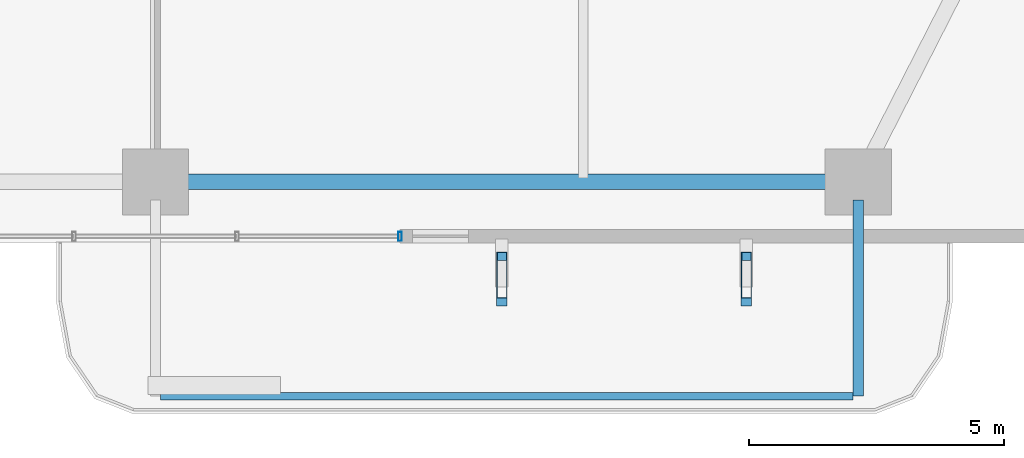
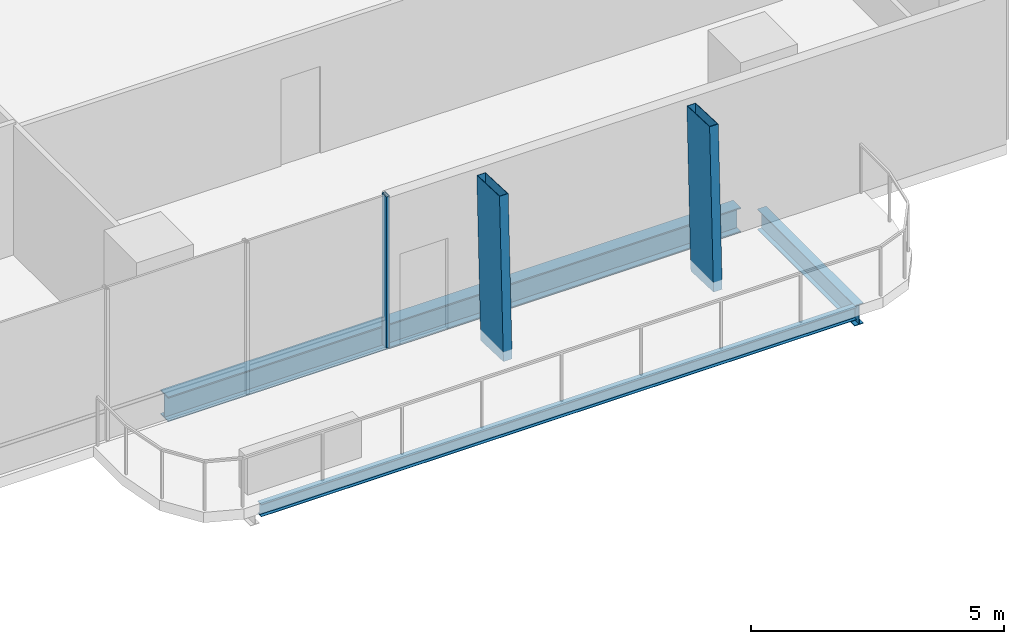
# One storey, part 6 of 24: 3 beams, 3 members, 1 element without a shape of its own.
"""IFC4 building model written with IfcOpenShell, lengths in metres."""

from ifc_helpers import new_model, si_unit, direction, frame, origin, origin_2d, place, context, subcontext, project, spatial, hollow_rectangle, i_section, extrude, material, layer, layer_set, material_profile, profile_set, type_object, element, aggregate, save


model = new_model("IFC4")

# Units and contexts
model_context = context("Model", 3, precision=1e-05, world=origin(), true_north=direction((0.0, 1.0)))
body_context = subcontext(model_context, "Body", "Model", "MODEL_VIEW")
ifc_project = project(units=[si_unit("LENGTHUNIT", "METRE"), si_unit("AREAUNIT", "SQUARE_METRE"), si_unit("VOLUMEUNIT", "CUBIC_METRE"), si_unit("PLANEANGLEUNIT", "RADIAN"), si_unit("MASSUNIT", "GRAM", prefix="KILO")], contexts=[model_context])

# Site, building, storey
site_placement = place(None, origin())
site = spatial("IfcSite", under=ifc_project, at=site_placement, CompositionType="ELEMENT")
building_placement = place(site_placement, origin())
building = spatial("IfcBuilding", under=site, at=building_placement, Name="Belovzor Exchange Tower", CompositionType="ELEMENT")
storey_placement = place(building_placement, frame((0.0, 0.0, 121.199951171875)))
storey = spatial("IfcBuildingStorey", under=building, at=storey_placement, Name="L29", CompositionType="ELEMENT", Elevation=121.199951171875)

# Beams
ifc_material_1 = material(Name="Steel S355", Category="steel")
ifc_material_profile_1 = material_profile(ifc_material_1, i_section(OverallWidth=0.199951171875, OverallDepth=0.5, WebThickness=0.01025390625, FlangeThickness=0.01611328125, at=origin_2d()))
ifc_profile_set_1 = profile_set([ifc_material_profile_1], Name="Steel S355")
beam_type_1 = type_object("IfcBeamType", Name="Planted Balcony Cantilever Beam IPE 500", PredefinedType="BEAM", material=ifc_profile_set_1)
beam_1_placement = place(storey_placement, frame((42.60009765625, 3.5419921875, -0.5), z_axis=(0.0, -1.0, 0.0), x_axis=(1.0, 0.0, 0.0)))
element("IfcBeam", 1, at=beam_1_placement, inside=storey, type_object=beam_type_1, Name="BC-500 Planted Balcony Cantilever Beam IPE 500", PredefinedType="BEAM", context=body_context, shape_type="SweptSolid", body=[
    extrude(i_section(OverallWidth=0.199951171875, OverallDepth=0.5, WebThickness=0.01025390625, FlangeThickness=0.01611328125, at=origin_2d()), origin(), (0.0, 0.0, 1.0), 3.85009765625),
])
ifc_material_2 = material(Name="Steel S355", Category="steel")
ifc_material_profile_2 = material_profile(ifc_material_2, i_section(OverallWidth=0.14990234375, OverallDepth=0.300048828125, WebThickness=0.007080078125, FlangeThickness=0.0107421875, at=origin_2d()))
ifc_profile_set_2 = profile_set([ifc_material_profile_2], Name="Steel S355")
beam_type_2 = type_object("IfcBeamType", Name="Planted Balcony Fascia Edge Beam IPE 300", PredefinedType="BEAM", material=ifc_profile_set_2)
beam_2_placement = place(storey_placement, frame((28.89990234375, -0.30810546875, -0.39990234375), z_axis=(1.0, 0.0, 0.0), x_axis=(0.0, 1.0, 0.0)))
element("IfcBeam", 2, at=beam_2_placement, inside=storey, type_object=beam_type_2, Name="BC-300 Planted Balcony Fascia Edge Beam IPE 300", PredefinedType="BEAM", context=body_context, shape_type="SweptSolid", body=[
    extrude(i_section(OverallWidth=0.14990234375, OverallDepth=0.300048828125, WebThickness=0.007080078125, FlangeThickness=0.0107421875, at=origin_2d()), origin(), (0.0, 0.0, 1.0), 13.60009765625),
])

# Members
ifc_material_3 = material(Name="Extruded Architectural Terracotta on Steel S355 Carrier", Category="masonry")
ifc_material_profile_3 = material_profile(ifc_material_3, hollow_rectangle(XDim=0.199951171875, YDim=0.89990234375, WallThickness=0.011962890625, at=origin_2d()))
ifc_profile_set_3 = profile_set([ifc_material_profile_3], Name="Extruded Architectural Terracotta on Steel S355 Carrier")
member_type_1 = type_object("IfcMemberType", Name="Sweeping Terracotta Baguette Fin Assembly 1250", PredefinedType="USERDEFINED", material=ifc_profile_set_3)
for number, where, z_axis, x_axis, name in (
    (3, (35.60009765625, 1.9169921875, -0.25), (0.0, 0.039718243113, 0.999210919258), (-1.0, 0.0, 0.0), "FIN-TC125 Terracotta Facade Fin L29 S3"),
    (4, (40.39990234375, 1.9169921875, -0.25), (0.0, 0.039718243113, 0.999210919258), (-1.0, 0.0, 0.0), "FIN-TC125 Terracotta Facade Fin L29 S4"),
):
    element("IfcMember", number, at=place(storey_placement, frame(where, z_axis=z_axis, x_axis=x_axis)), inside=storey, type_object=member_type_1, Name=name, ObjectType="FIN", PredefinedType="USERDEFINED", context=body_context, shape_type="SweptSolid", body=[
        extrude(hollow_rectangle(XDim=0.199951171875, YDim=0.89990234375, WallThickness=0.011962890625, at=origin_2d()), origin(), (0.0, 0.0, 1.0), 3.9033203125),
    ])

# Curtain wall, member
ifc_material_4 = material(Name="Anodised Aluminium Framing", Category="aluminium")
ifc_layer = layer(ifc_material_4, 0.179931640625)
ifc_layer_set = layer_set([ifc_layer], Name="Anodised Aluminium Framing")
curtain_wall_type = type_object("IfcCurtainWallType", Name="Recessed Loggia Low-Iron Triple-Glazed Curtain Wall", PredefinedType="NOTDEFINED", material=ifc_layer_set)
curtain_wall_placement = place(storey_placement, origin())
curtain_wall = element("IfcCurtainWall", 5, at=curtain_wall_placement, inside=storey, type_object=curtain_wall_type, Name="CW3 Recessed Loggia Low-Iron Triple-Glazed Curtain Wall L29", PredefinedType="NOTDEFINED")
ifc_material_5 = material(Name="Steel S355", Category="steel")
ifc_material_profile_4 = material_profile(ifc_material_5, hollow_rectangle(XDim=0.074951171875, YDim=0.179931640625, WallThickness=0.0048828125, at=origin_2d()))
ifc_profile_set_4 = profile_set([ifc_material_profile_4], Name="Steel S355")
member_type_2 = type_object("IfcMemberType", Name="Thermally Broken Curtain Wall Mullion 180x75", PredefinedType="MULLION", material=ifc_profile_set_4)
member_placement = place(storey_placement, frame((33.60009765625, 2.830078125, 0.0), z_axis=(0.0, 0.0, 1.0), x_axis=(-1.0, 0.0, 0.0)))
member = element("IfcMember", 6, at=member_placement, type_object=member_type_2, Name="CW-M180 Curtain Wall Mullion 1", PredefinedType="MULLION", context=body_context, shape_type="SweptSolid", body=[
    extrude(hollow_rectangle(XDim=0.074951171875, YDim=0.179931640625, WallThickness=0.0048828125, at=origin_2d()), origin(), (0.0, 0.0, 1.0), 3.650146484375),
])
aggregate(curtain_wall, [member])

# Beam
ifc_material_6 = material(Name="Steel S355", Category="steel")
ifc_material_profile_5 = material_profile(ifc_material_6, i_section(OverallWidth=0.300048828125, OverallDepth=0.60009765625, WebThickness=0.015380859375, FlangeThickness=0.030029296875, at=origin_2d()))
ifc_profile_set_5 = profile_set([ifc_material_profile_5], Name="Steel S355")
beam_type_3 = type_object("IfcBeamType", Name="Zone 2 Primary Perimeter Girder HEB 600", PredefinedType="BEAM", material=ifc_profile_set_5)
beam_3_placement = place(storey_placement, frame((29.157958984375, 3.89990234375, -0.550048828125), z_axis=(1.0, 0.0, 0.0), x_axis=(0.0, 1.0, 0.0)))
element("IfcBeam", 7, at=beam_3_placement, inside=storey, type_object=beam_type_3, Name="FG-Z2 Zone 2 Primary Perimeter Girder HEB 600", PredefinedType="BEAM", context=body_context, shape_type="SweptSolid", body=[
    extrude(i_section(OverallWidth=0.300048828125, OverallDepth=0.60009765625, WebThickness=0.015380859375, FlangeThickness=0.030029296875, at=origin_2d()), origin(), (0.0, 0.0, 1.0), 13.083984375),
])

save(model, "model.ifc")
